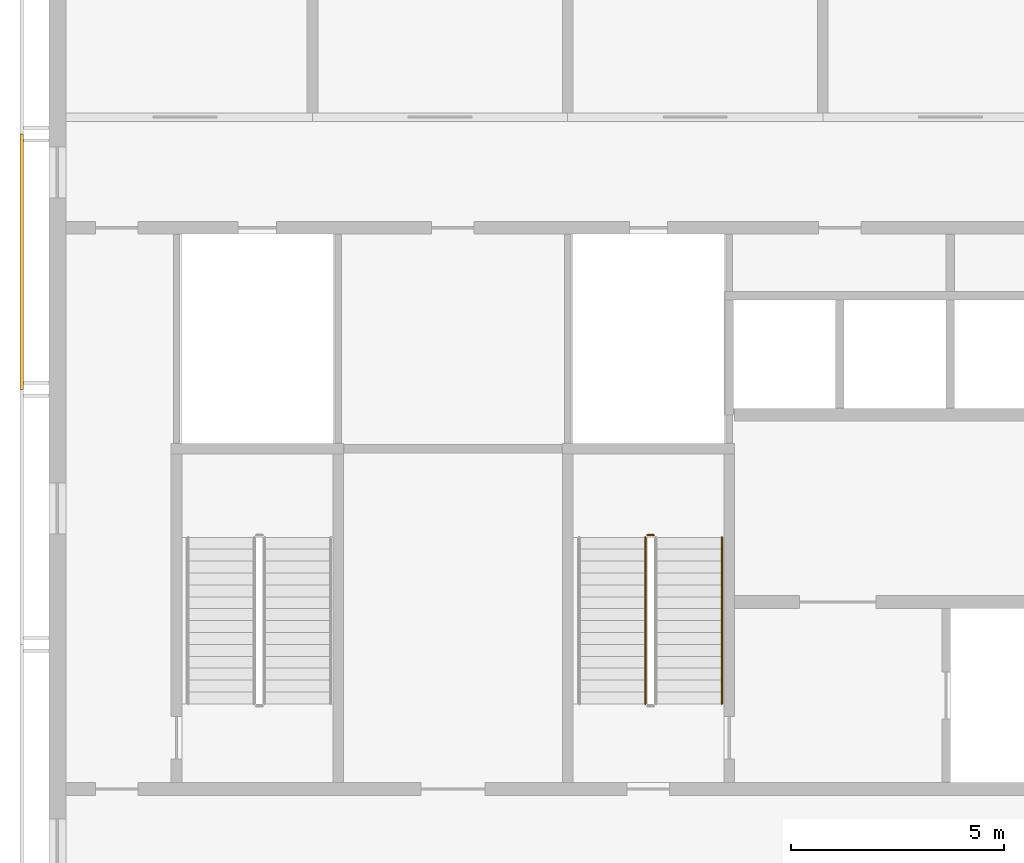
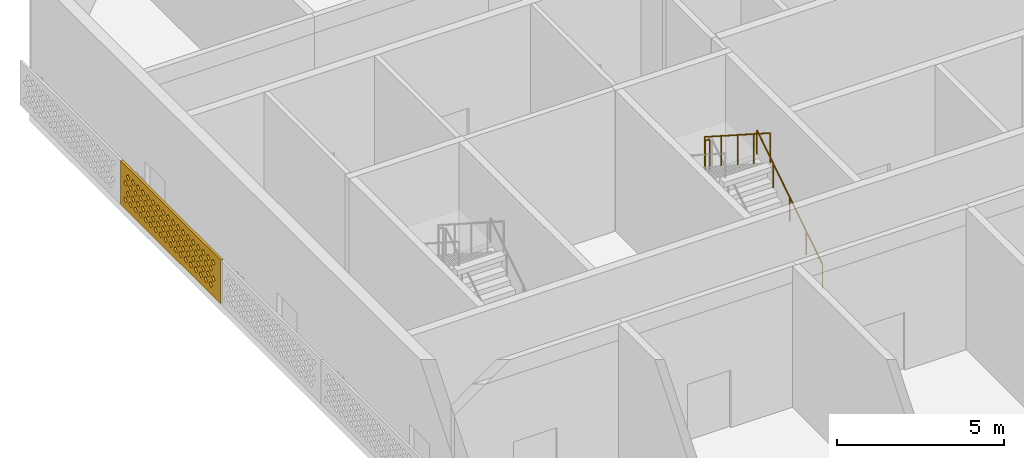
# One storey, part 13 of 18: 3 railings, 1 covering.
"""IFC4 building model written with IfcOpenShell, lengths in metres."""

from ifc_helpers import new_model, si_unit, direction, frame, origin, origin_2d, place, context, subcontext, project, spatial, polyline, circle, outline, extrude, source, transform, mapped, material, material_profile, profile_set, type_object, element, save


model = new_model("IFC4")

# Units and contexts
model_context = context("Model", 3, precision=1e-05, world=origin(), true_north=direction((0.0, 1.0)))
body_context = subcontext(model_context, "Body", "Model", "MODEL_VIEW")
ifc_project = project(units=[si_unit("LENGTHUNIT", "METRE"), si_unit("AREAUNIT", "SQUARE_METRE"), si_unit("VOLUMEUNIT", "CUBIC_METRE"), si_unit("PLANEANGLEUNIT", "RADIAN"), si_unit("MASSUNIT", "GRAM", prefix="KILO")], contexts=[model_context])

# Site, building, storey
site_placement = place(None, origin())
site = spatial("IfcSite", under=ifc_project, at=site_placement, CompositionType="ELEMENT")
building_placement = place(site_placement, origin())
building = spatial("IfcBuilding", under=site, at=building_placement, Name="Poui Terraces", CompositionType="ELEMENT")
storey_placement = place(building_placement, frame((0.0, 0.0, 267.0)))
storey = spatial("IfcBuildingStorey", under=building, at=storey_placement, Name="L74", CompositionType="ELEMENT", Elevation=267.0)

# Railings
ifc_material_1 = material(Name="Galvanised steel balustrade", Category="steel")
railing_type_1 = type_object("IfcRailingType", Name="STAIR GUARD 1100", PredefinedType="GUARDRAIL", material=ifc_material_1)
railing_1_placement = place(storey_placement, frame((32.02490234375, 20.570068359375, 2.699951171875)))
element("IfcRailing", 1, at=railing_1_placement, inside=storey, type_object=railing_type_1, Name="L74 ST-CW stair guard 2", PredefinedType="GUARDRAIL", context=body_context, shape_type="SweptSolid", body=[
    extrude(circle(Radius=0.02392578125, at=origin_2d()), frame((0.0, 0.0, 1.076171875), z_axis=(-1.0, 0.0, 0.0), x_axis=(0.0, -1.0, 0.0)), (0.0, 0.0, 1.0), 0.14990234375),
    extrude(circle(Radius=0.02099609375, at=origin_2d()), origin(), (0.0, 0.0, 1.0), 1.052001953125),
    extrude(circle(Radius=0.02099609375, at=origin_2d()), frame((-0.14990234375, 0.0, 0.0)), (0.0, 0.0, 1.0), 1.052001953125),
])
railing_2_placement = place(storey_placement, frame((31.824951171875, 20.52001953125, 2.8798828125)))
element("IfcRailing", 2, at=railing_2_placement, inside=storey, type_object=railing_type_1, Name="L74 ST-CW stair guard 3", PredefinedType="GUARDRAIL", context=body_context, shape_type="SweptSolid", body=[
    extrude(circle(Radius=0.02392578125, at=origin_2d()), frame((0.0, 0.0, 1.076171875), z_axis=(0.0, -0.841171666519, 0.540768182723), x_axis=(1.0, 0.0, 0.0)), (0.0, 0.0, 1.0), 4.66015625),
    extrude(circle(Radius=0.02099609375, at=origin_2d()), origin(), (0.0, 0.0, 1.0), 1.052001953125),
    extrude(circle(Radius=0.02099609375, at=origin_2d()), frame((0.0, -0.97998046875, 0.6298828125)), (0.0, 0.0, 1.0), 1.052001953125),
    extrude(circle(Radius=0.02099609375, at=origin_2d()), frame((0.0, -1.9599609375, 1.260009765625)), (0.0, 0.0, 1.0), 1.052001953125),
    extrude(circle(Radius=0.02099609375, at=origin_2d()), frame((0.0, -2.93994140625, 1.89013671875)), (0.0, 0.0, 1.0), 1.052001953125),
    extrude(circle(Radius=0.02099609375, at=origin_2d()), frame((0.0, -3.919921875, 2.52001953125)), (0.0, 0.0, 1.0), 1.052001953125),
])
ifc_material_2 = material(Name="Stainless steel handrail", Category="steel")
railing_type_2 = type_object("IfcRailingType", Name="STAIR HANDRAIL 900", PredefinedType="HANDRAIL", material=ifc_material_2)
railing_3_placement = place(storey_placement, frame((33.625, 16.60009765625, 0.179931640625)))
element("IfcRailing", 3, at=railing_3_placement, inside=storey, type_object=railing_type_2, Name="L74 ST-CW stair handrail 1", PredefinedType="HANDRAIL", context=body_context, shape_type="SweptSolid", body=[
    extrude(circle(Radius=0.02392578125, at=origin_2d()), frame((0.0, 0.0, 0.8759765625), z_axis=(0.0, 0.841171666519, 0.540768182723), x_axis=(-1.0, 0.0, 0.0)), (0.0, 0.0, 1.0), 4.66015625),
    extrude(circle(Radius=0.02099609375, at=origin_2d()), origin(), (0.0, 0.0, 1.0), 0.851806640625),
    extrude(circle(Radius=0.02099609375, at=origin_2d()), frame((0.0, 0.97998046875, 0.6298828125)), (0.0, 0.0, 1.0), 0.851806640625),
    extrude(circle(Radius=0.02099609375, at=origin_2d()), frame((0.0, 1.9599609375, 1.260009765625)), (0.0, 0.0, 1.0), 0.851806640625),
    extrude(circle(Radius=0.02099609375, at=origin_2d()), frame((0.0, 2.93994140625, 1.89013671875)), (0.0, 0.0, 1.0), 0.851806640625),
    extrude(circle(Radius=0.02099609375, at=origin_2d()), frame((0.0, 3.919921875, 2.52001953125)), (0.0, 0.0, 1.0), 0.851806640625),
])

# Covering
ifc_material_3 = material(Name="Terracotta screen", Category="masonry")
ifc_material_profile = material_profile(ifc_material_3, outline(polyline([(-3.0, -0.800048828125), (3.0, -0.800048828125), (3.0, 0.800048828125), (-3.0, 0.800048828125), (-3.0, -0.800048828125)]), holes=[polyline([(-2.800048828125, -0.449951171875), (-2.68994140625, -0.56005859375), (-2.580078125, -0.449951171875), (-2.68994140625, -0.340087890625), (-2.800048828125, -0.449951171875)]), polyline([(-2.5, -0.449951171875), (-2.389892578125, -0.56005859375), (-2.280029296875, -0.449951171875), (-2.389892578125, -0.340087890625), (-2.5, -0.449951171875)]), polyline([(-2.199951171875, -0.449951171875), (-2.090087890625, -0.56005859375), (-1.97998046875, -0.449951171875), (-2.090087890625, -0.340087890625), (-2.199951171875, -0.449951171875)]), polyline([(-1.89990234375, -0.449951171875), (-1.7900390625, -0.56005859375), (-1.679931640625, -0.449951171875), (-1.7900390625, -0.340087890625), (-1.89990234375, -0.449951171875)]), polyline([(-1.60009765625, -0.449951171875), (-1.489990234375, -0.56005859375), (-1.3798828125, -0.449951171875), (-1.489990234375, -0.340087890625), (-1.60009765625, -0.449951171875)]), polyline([(-1.300048828125, -0.449951171875), (-1.18994140625, -0.56005859375), (-1.080078125, -0.449951171875), (-1.18994140625, -0.340087890625), (-1.300048828125, -0.449951171875)]), polyline([(-1.0, -0.449951171875), (-0.889892578125, -0.56005859375), (-0.780029296875, -0.449951171875), (-0.889892578125, -0.340087890625), (-1.0, -0.449951171875)]), polyline([(-0.699951171875, -0.449951171875), (-0.590087890625, -0.56005859375), (-0.47998046875, -0.449951171875), (-0.590087890625, -0.340087890625), (-0.699951171875, -0.449951171875)]), polyline([(-0.39990234375, -0.449951171875), (-0.2900390625, -0.56005859375), (-0.179931640625, -0.449951171875), (-0.2900390625, -0.340087890625), (-0.39990234375, -0.449951171875)]), polyline([(-0.10009765625, -0.449951171875), (0.010009765625, -0.56005859375), (0.1201171875, -0.449951171875), (0.010009765625, -0.340087890625), (-0.10009765625, -0.449951171875)]), polyline([(0.199951171875, -0.449951171875), (0.31005859375, -0.56005859375), (0.419921875, -0.449951171875), (0.31005859375, -0.340087890625), (0.199951171875, -0.449951171875)]), polyline([(0.5, -0.449951171875), (0.610107421875, -0.56005859375), (0.719970703125, -0.449951171875), (0.610107421875, -0.340087890625), (0.5, -0.449951171875)]), polyline([(0.800048828125, -0.449951171875), (0.909912109375, -0.56005859375), (1.02001953125, -0.449951171875), (0.909912109375, -0.340087890625), (0.800048828125, -0.449951171875)]), polyline([(1.10009765625, -0.449951171875), (1.2099609375, -0.56005859375), (1.320068359375, -0.449951171875), (1.2099609375, -0.340087890625), (1.10009765625, -0.449951171875)]), polyline([(1.39990234375, -0.449951171875), (1.510009765625, -0.56005859375), (1.6201171875, -0.449951171875), (1.510009765625, -0.340087890625), (1.39990234375, -0.449951171875)]), polyline([(1.699951171875, -0.449951171875), (1.81005859375, -0.56005859375), (1.919921875, -0.449951171875), (1.81005859375, -0.340087890625), (1.699951171875, -0.449951171875)]), polyline([(2.0, -0.449951171875), (2.110107421875, -0.56005859375), (2.219970703125, -0.449951171875), (2.110107421875, -0.340087890625), (2.0, -0.449951171875)]), polyline([(2.300048828125, -0.449951171875), (2.409912109375, -0.56005859375), (2.52001953125, -0.449951171875), (2.409912109375, -0.340087890625), (2.300048828125, -0.449951171875)]), polyline([(-2.64990234375, -0.14990234375), (-2.5400390625, -0.260009765625), (-2.429931640625, -0.14990234375), (-2.5400390625, -0.0400390625), (-2.64990234375, -0.14990234375)]), polyline([(-2.35009765625, -0.14990234375), (-2.239990234375, -0.260009765625), (-2.1298828125, -0.14990234375), (-2.239990234375, -0.0400390625), (-2.35009765625, -0.14990234375)]), polyline([(-2.050048828125, -0.14990234375), (-1.93994140625, -0.260009765625), (-1.830078125, -0.14990234375), (-1.93994140625, -0.0400390625), (-2.050048828125, -0.14990234375)]), polyline([(-1.75, -0.14990234375), (-1.639892578125, -0.260009765625), (-1.530029296875, -0.14990234375), (-1.639892578125, -0.0400390625), (-1.75, -0.14990234375)]), polyline([(-1.449951171875, -0.14990234375), (-1.340087890625, -0.260009765625), (-1.22998046875, -0.14990234375), (-1.340087890625, -0.0400390625), (-1.449951171875, -0.14990234375)]), polyline([(-1.14990234375, -0.14990234375), (-1.0400390625, -0.260009765625), (-0.929931640625, -0.14990234375), (-1.0400390625, -0.0400390625), (-1.14990234375, -0.14990234375)]), polyline([(-0.85009765625, -0.14990234375), (-0.739990234375, -0.260009765625), (-0.6298828125, -0.14990234375), (-0.739990234375, -0.0400390625), (-0.85009765625, -0.14990234375)]), polyline([(-0.550048828125, -0.14990234375), (-0.43994140625, -0.260009765625), (-0.330078125, -0.14990234375), (-0.43994140625, -0.0400390625), (-0.550048828125, -0.14990234375)]), polyline([(-0.25, -0.14990234375), (-0.139892578125, -0.260009765625), (-0.030029296875, -0.14990234375), (-0.139892578125, -0.0400390625), (-0.25, -0.14990234375)]), polyline([(0.050048828125, -0.14990234375), (0.159912109375, -0.260009765625), (0.27001953125, -0.14990234375), (0.159912109375, -0.0400390625), (0.050048828125, -0.14990234375)]), polyline([(0.35009765625, -0.14990234375), (0.4599609375, -0.260009765625), (0.570068359375, -0.14990234375), (0.4599609375, -0.0400390625), (0.35009765625, -0.14990234375)]), polyline([(0.64990234375, -0.14990234375), (0.760009765625, -0.260009765625), (0.8701171875, -0.14990234375), (0.760009765625, -0.0400390625), (0.64990234375, -0.14990234375)]), polyline([(0.949951171875, -0.14990234375), (1.06005859375, -0.260009765625), (1.169921875, -0.14990234375), (1.06005859375, -0.0400390625), (0.949951171875, -0.14990234375)]), polyline([(1.25, -0.14990234375), (1.360107421875, -0.260009765625), (1.469970703125, -0.14990234375), (1.360107421875, -0.0400390625), (1.25, -0.14990234375)]), polyline([(1.550048828125, -0.14990234375), (1.659912109375, -0.260009765625), (1.77001953125, -0.14990234375), (1.659912109375, -0.0400390625), (1.550048828125, -0.14990234375)]), polyline([(1.85009765625, -0.14990234375), (1.9599609375, -0.260009765625), (2.070068359375, -0.14990234375), (1.9599609375, -0.0400390625), (1.85009765625, -0.14990234375)]), polyline([(2.14990234375, -0.14990234375), (2.260009765625, -0.260009765625), (2.3701171875, -0.14990234375), (2.260009765625, -0.0400390625), (2.14990234375, -0.14990234375)]), polyline([(2.449951171875, -0.14990234375), (2.56005859375, -0.260009765625), (2.669921875, -0.14990234375), (2.56005859375, -0.0400390625), (2.449951171875, -0.14990234375)]), polyline([(-2.800048828125, 0.14990234375), (-2.68994140625, 0.0400390625), (-2.580078125, 0.14990234375), (-2.68994140625, 0.260009765625), (-2.800048828125, 0.14990234375)]), polyline([(-2.5, 0.14990234375), (-2.389892578125, 0.0400390625), (-2.280029296875, 0.14990234375), (-2.389892578125, 0.260009765625), (-2.5, 0.14990234375)]), polyline([(-2.199951171875, 0.14990234375), (-2.090087890625, 0.0400390625), (-1.97998046875, 0.14990234375), (-2.090087890625, 0.260009765625), (-2.199951171875, 0.14990234375)]), polyline([(-1.89990234375, 0.14990234375), (-1.7900390625, 0.0400390625), (-1.679931640625, 0.14990234375), (-1.7900390625, 0.260009765625), (-1.89990234375, 0.14990234375)]), polyline([(-1.60009765625, 0.14990234375), (-1.489990234375, 0.0400390625), (-1.3798828125, 0.14990234375), (-1.489990234375, 0.260009765625), (-1.60009765625, 0.14990234375)]), polyline([(-1.300048828125, 0.14990234375), (-1.18994140625, 0.0400390625), (-1.080078125, 0.14990234375), (-1.18994140625, 0.260009765625), (-1.300048828125, 0.14990234375)]), polyline([(-1.0, 0.14990234375), (-0.889892578125, 0.0400390625), (-0.780029296875, 0.14990234375), (-0.889892578125, 0.260009765625), (-1.0, 0.14990234375)]), polyline([(-0.699951171875, 0.14990234375), (-0.590087890625, 0.0400390625), (-0.47998046875, 0.14990234375), (-0.590087890625, 0.260009765625), (-0.699951171875, 0.14990234375)]), polyline([(-0.39990234375, 0.14990234375), (-0.2900390625, 0.0400390625), (-0.179931640625, 0.14990234375), (-0.2900390625, 0.260009765625), (-0.39990234375, 0.14990234375)]), polyline([(-0.10009765625, 0.14990234375), (0.010009765625, 0.0400390625), (0.1201171875, 0.14990234375), (0.010009765625, 0.260009765625), (-0.10009765625, 0.14990234375)]), polyline([(0.199951171875, 0.14990234375), (0.31005859375, 0.0400390625), (0.419921875, 0.14990234375), (0.31005859375, 0.260009765625), (0.199951171875, 0.14990234375)]), polyline([(0.5, 0.14990234375), (0.610107421875, 0.0400390625), (0.719970703125, 0.14990234375), (0.610107421875, 0.260009765625), (0.5, 0.14990234375)]), polyline([(0.800048828125, 0.14990234375), (0.909912109375, 0.0400390625), (1.02001953125, 0.14990234375), (0.909912109375, 0.260009765625), (0.800048828125, 0.14990234375)]), polyline([(1.10009765625, 0.14990234375), (1.2099609375, 0.0400390625), (1.320068359375, 0.14990234375), (1.2099609375, 0.260009765625), (1.10009765625, 0.14990234375)]), polyline([(1.39990234375, 0.14990234375), (1.510009765625, 0.0400390625), (1.6201171875, 0.14990234375), (1.510009765625, 0.260009765625), (1.39990234375, 0.14990234375)]), polyline([(1.699951171875, 0.14990234375), (1.81005859375, 0.0400390625), (1.919921875, 0.14990234375), (1.81005859375, 0.260009765625), (1.699951171875, 0.14990234375)]), polyline([(2.0, 0.14990234375), (2.110107421875, 0.0400390625), (2.219970703125, 0.14990234375), (2.110107421875, 0.260009765625), (2.0, 0.14990234375)]), polyline([(2.300048828125, 0.14990234375), (2.409912109375, 0.0400390625), (2.52001953125, 0.14990234375), (2.409912109375, 0.260009765625), (2.300048828125, 0.14990234375)]), polyline([(-2.64990234375, 0.449951171875), (-2.5400390625, 0.340087890625), (-2.429931640625, 0.449951171875), (-2.5400390625, 0.56005859375), (-2.64990234375, 0.449951171875)]), polyline([(-2.35009765625, 0.449951171875), (-2.239990234375, 0.340087890625), (-2.1298828125, 0.449951171875), (-2.239990234375, 0.56005859375), (-2.35009765625, 0.449951171875)]), polyline([(-2.050048828125, 0.449951171875), (-1.93994140625, 0.340087890625), (-1.830078125, 0.449951171875), (-1.93994140625, 0.56005859375), (-2.050048828125, 0.449951171875)]), polyline([(-1.75, 0.449951171875), (-1.639892578125, 0.340087890625), (-1.530029296875, 0.449951171875), (-1.639892578125, 0.56005859375), (-1.75, 0.449951171875)]), polyline([(-1.449951171875, 0.449951171875), (-1.340087890625, 0.340087890625), (-1.22998046875, 0.449951171875), (-1.340087890625, 0.56005859375), (-1.449951171875, 0.449951171875)]), polyline([(-1.14990234375, 0.449951171875), (-1.0400390625, 0.340087890625), (-0.929931640625, 0.449951171875), (-1.0400390625, 0.56005859375), (-1.14990234375, 0.449951171875)]), polyline([(-0.85009765625, 0.449951171875), (-0.739990234375, 0.340087890625), (-0.6298828125, 0.449951171875), (-0.739990234375, 0.56005859375), (-0.85009765625, 0.449951171875)]), polyline([(-0.550048828125, 0.449951171875), (-0.43994140625, 0.340087890625), (-0.330078125, 0.449951171875), (-0.43994140625, 0.56005859375), (-0.550048828125, 0.449951171875)]), polyline([(-0.25, 0.449951171875), (-0.139892578125, 0.340087890625), (-0.030029296875, 0.449951171875), (-0.139892578125, 0.56005859375), (-0.25, 0.449951171875)]), polyline([(0.050048828125, 0.449951171875), (0.159912109375, 0.340087890625), (0.27001953125, 0.449951171875), (0.159912109375, 0.56005859375), (0.050048828125, 0.449951171875)]), polyline([(0.35009765625, 0.449951171875), (0.4599609375, 0.340087890625), (0.570068359375, 0.449951171875), (0.4599609375, 0.56005859375), (0.35009765625, 0.449951171875)]), polyline([(0.64990234375, 0.449951171875), (0.760009765625, 0.340087890625), (0.8701171875, 0.449951171875), (0.760009765625, 0.56005859375), (0.64990234375, 0.449951171875)]), polyline([(0.949951171875, 0.449951171875), (1.06005859375, 0.340087890625), (1.169921875, 0.449951171875), (1.06005859375, 0.56005859375), (0.949951171875, 0.449951171875)]), polyline([(1.25, 0.449951171875), (1.360107421875, 0.340087890625), (1.469970703125, 0.449951171875), (1.360107421875, 0.56005859375), (1.25, 0.449951171875)]), polyline([(1.550048828125, 0.449951171875), (1.659912109375, 0.340087890625), (1.77001953125, 0.449951171875), (1.659912109375, 0.56005859375), (1.550048828125, 0.449951171875)]), polyline([(1.85009765625, 0.449951171875), (1.9599609375, 0.340087890625), (2.070068359375, 0.449951171875), (1.9599609375, 0.56005859375), (1.85009765625, 0.449951171875)]), polyline([(2.14990234375, 0.449951171875), (2.260009765625, 0.340087890625), (2.3701171875, 0.449951171875), (2.260009765625, 0.56005859375), (2.14990234375, 0.449951171875)]), polyline([(2.449951171875, 0.449951171875), (2.56005859375, 0.340087890625), (2.669921875, 0.449951171875), (2.56005859375, 0.56005859375), (2.449951171875, 0.449951171875)])]), Name="TERRACOTTA SOLAR SCREEN 6000X1600")
ifc_profile_set = profile_set([ifc_material_profile], Name="Terracotta screen")
covering_type = type_object("IfcCoveringType", Name="TERRACOTTA SOLAR SCREEN 6000X1600", PredefinedType="CLADDING", material=ifc_profile_set)
shared_shape = source(origin(), body_context, "Body", "SweptSolid", [
    extrude(outline(polyline([(-3.0, -0.800048828125), (3.0, -0.800048828125), (3.0, 0.800048828125), (-3.0, 0.800048828125), (-3.0, -0.800048828125)]), holes=[polyline([(-2.800048828125, -0.449951171875), (-2.68994140625, -0.56005859375), (-2.580078125, -0.449951171875), (-2.68994140625, -0.340087890625), (-2.800048828125, -0.449951171875)]), polyline([(-2.5, -0.449951171875), (-2.389892578125, -0.56005859375), (-2.280029296875, -0.449951171875), (-2.389892578125, -0.340087890625), (-2.5, -0.449951171875)]), polyline([(-2.199951171875, -0.449951171875), (-2.090087890625, -0.56005859375), (-1.97998046875, -0.449951171875), (-2.090087890625, -0.340087890625), (-2.199951171875, -0.449951171875)]), polyline([(-1.89990234375, -0.449951171875), (-1.7900390625, -0.56005859375), (-1.679931640625, -0.449951171875), (-1.7900390625, -0.340087890625), (-1.89990234375, -0.449951171875)]), polyline([(-1.60009765625, -0.449951171875), (-1.489990234375, -0.56005859375), (-1.3798828125, -0.449951171875), (-1.489990234375, -0.340087890625), (-1.60009765625, -0.449951171875)]), polyline([(-1.300048828125, -0.449951171875), (-1.18994140625, -0.56005859375), (-1.080078125, -0.449951171875), (-1.18994140625, -0.340087890625), (-1.300048828125, -0.449951171875)]), polyline([(-1.0, -0.449951171875), (-0.889892578125, -0.56005859375), (-0.780029296875, -0.449951171875), (-0.889892578125, -0.340087890625), (-1.0, -0.449951171875)]), polyline([(-0.699951171875, -0.449951171875), (-0.590087890625, -0.56005859375), (-0.47998046875, -0.449951171875), (-0.590087890625, -0.340087890625), (-0.699951171875, -0.449951171875)]), polyline([(-0.39990234375, -0.449951171875), (-0.2900390625, -0.56005859375), (-0.179931640625, -0.449951171875), (-0.2900390625, -0.340087890625), (-0.39990234375, -0.449951171875)]), polyline([(-0.10009765625, -0.449951171875), (0.010009765625, -0.56005859375), (0.1201171875, -0.449951171875), (0.010009765625, -0.340087890625), (-0.10009765625, -0.449951171875)]), polyline([(0.199951171875, -0.449951171875), (0.31005859375, -0.56005859375), (0.419921875, -0.449951171875), (0.31005859375, -0.340087890625), (0.199951171875, -0.449951171875)]), polyline([(0.5, -0.449951171875), (0.610107421875, -0.56005859375), (0.719970703125, -0.449951171875), (0.610107421875, -0.340087890625), (0.5, -0.449951171875)]), polyline([(0.800048828125, -0.449951171875), (0.909912109375, -0.56005859375), (1.02001953125, -0.449951171875), (0.909912109375, -0.340087890625), (0.800048828125, -0.449951171875)]), polyline([(1.10009765625, -0.449951171875), (1.2099609375, -0.56005859375), (1.320068359375, -0.449951171875), (1.2099609375, -0.340087890625), (1.10009765625, -0.449951171875)]), polyline([(1.39990234375, -0.449951171875), (1.510009765625, -0.56005859375), (1.6201171875, -0.449951171875), (1.510009765625, -0.340087890625), (1.39990234375, -0.449951171875)]), polyline([(1.699951171875, -0.449951171875), (1.81005859375, -0.56005859375), (1.919921875, -0.449951171875), (1.81005859375, -0.340087890625), (1.699951171875, -0.449951171875)]), polyline([(2.0, -0.449951171875), (2.110107421875, -0.56005859375), (2.219970703125, -0.449951171875), (2.110107421875, -0.340087890625), (2.0, -0.449951171875)]), polyline([(2.300048828125, -0.449951171875), (2.409912109375, -0.56005859375), (2.52001953125, -0.449951171875), (2.409912109375, -0.340087890625), (2.300048828125, -0.449951171875)]), polyline([(-2.64990234375, -0.14990234375), (-2.5400390625, -0.260009765625), (-2.429931640625, -0.14990234375), (-2.5400390625, -0.0400390625), (-2.64990234375, -0.14990234375)]), polyline([(-2.35009765625, -0.14990234375), (-2.239990234375, -0.260009765625), (-2.1298828125, -0.14990234375), (-2.239990234375, -0.0400390625), (-2.35009765625, -0.14990234375)]), polyline([(-2.050048828125, -0.14990234375), (-1.93994140625, -0.260009765625), (-1.830078125, -0.14990234375), (-1.93994140625, -0.0400390625), (-2.050048828125, -0.14990234375)]), polyline([(-1.75, -0.14990234375), (-1.639892578125, -0.260009765625), (-1.530029296875, -0.14990234375), (-1.639892578125, -0.0400390625), (-1.75, -0.14990234375)]), polyline([(-1.449951171875, -0.14990234375), (-1.340087890625, -0.260009765625), (-1.22998046875, -0.14990234375), (-1.340087890625, -0.0400390625), (-1.449951171875, -0.14990234375)]), polyline([(-1.14990234375, -0.14990234375), (-1.0400390625, -0.260009765625), (-0.929931640625, -0.14990234375), (-1.0400390625, -0.0400390625), (-1.14990234375, -0.14990234375)]), polyline([(-0.85009765625, -0.14990234375), (-0.739990234375, -0.260009765625), (-0.6298828125, -0.14990234375), (-0.739990234375, -0.0400390625), (-0.85009765625, -0.14990234375)]), polyline([(-0.550048828125, -0.14990234375), (-0.43994140625, -0.260009765625), (-0.330078125, -0.14990234375), (-0.43994140625, -0.0400390625), (-0.550048828125, -0.14990234375)]), polyline([(-0.25, -0.14990234375), (-0.139892578125, -0.260009765625), (-0.030029296875, -0.14990234375), (-0.139892578125, -0.0400390625), (-0.25, -0.14990234375)]), polyline([(0.050048828125, -0.14990234375), (0.159912109375, -0.260009765625), (0.27001953125, -0.14990234375), (0.159912109375, -0.0400390625), (0.050048828125, -0.14990234375)]), polyline([(0.35009765625, -0.14990234375), (0.4599609375, -0.260009765625), (0.570068359375, -0.14990234375), (0.4599609375, -0.0400390625), (0.35009765625, -0.14990234375)]), polyline([(0.64990234375, -0.14990234375), (0.760009765625, -0.260009765625), (0.8701171875, -0.14990234375), (0.760009765625, -0.0400390625), (0.64990234375, -0.14990234375)]), polyline([(0.949951171875, -0.14990234375), (1.06005859375, -0.260009765625), (1.169921875, -0.14990234375), (1.06005859375, -0.0400390625), (0.949951171875, -0.14990234375)]), polyline([(1.25, -0.14990234375), (1.360107421875, -0.260009765625), (1.469970703125, -0.14990234375), (1.360107421875, -0.0400390625), (1.25, -0.14990234375)]), polyline([(1.550048828125, -0.14990234375), (1.659912109375, -0.260009765625), (1.77001953125, -0.14990234375), (1.659912109375, -0.0400390625), (1.550048828125, -0.14990234375)]), polyline([(1.85009765625, -0.14990234375), (1.9599609375, -0.260009765625), (2.070068359375, -0.14990234375), (1.9599609375, -0.0400390625), (1.85009765625, -0.14990234375)]), polyline([(2.14990234375, -0.14990234375), (2.260009765625, -0.260009765625), (2.3701171875, -0.14990234375), (2.260009765625, -0.0400390625), (2.14990234375, -0.14990234375)]), polyline([(2.449951171875, -0.14990234375), (2.56005859375, -0.260009765625), (2.669921875, -0.14990234375), (2.56005859375, -0.0400390625), (2.449951171875, -0.14990234375)]), polyline([(-2.800048828125, 0.14990234375), (-2.68994140625, 0.0400390625), (-2.580078125, 0.14990234375), (-2.68994140625, 0.260009765625), (-2.800048828125, 0.14990234375)]), polyline([(-2.5, 0.14990234375), (-2.389892578125, 0.0400390625), (-2.280029296875, 0.14990234375), (-2.389892578125, 0.260009765625), (-2.5, 0.14990234375)]), polyline([(-2.199951171875, 0.14990234375), (-2.090087890625, 0.0400390625), (-1.97998046875, 0.14990234375), (-2.090087890625, 0.260009765625), (-2.199951171875, 0.14990234375)]), polyline([(-1.89990234375, 0.14990234375), (-1.7900390625, 0.0400390625), (-1.679931640625, 0.14990234375), (-1.7900390625, 0.260009765625), (-1.89990234375, 0.14990234375)]), polyline([(-1.60009765625, 0.14990234375), (-1.489990234375, 0.0400390625), (-1.3798828125, 0.14990234375), (-1.489990234375, 0.260009765625), (-1.60009765625, 0.14990234375)]), polyline([(-1.300048828125, 0.14990234375), (-1.18994140625, 0.0400390625), (-1.080078125, 0.14990234375), (-1.18994140625, 0.260009765625), (-1.300048828125, 0.14990234375)]), polyline([(-1.0, 0.14990234375), (-0.889892578125, 0.0400390625), (-0.780029296875, 0.14990234375), (-0.889892578125, 0.260009765625), (-1.0, 0.14990234375)]), polyline([(-0.699951171875, 0.14990234375), (-0.590087890625, 0.0400390625), (-0.47998046875, 0.14990234375), (-0.590087890625, 0.260009765625), (-0.699951171875, 0.14990234375)]), polyline([(-0.39990234375, 0.14990234375), (-0.2900390625, 0.0400390625), (-0.179931640625, 0.14990234375), (-0.2900390625, 0.260009765625), (-0.39990234375, 0.14990234375)]), polyline([(-0.10009765625, 0.14990234375), (0.010009765625, 0.0400390625), (0.1201171875, 0.14990234375), (0.010009765625, 0.260009765625), (-0.10009765625, 0.14990234375)]), polyline([(0.199951171875, 0.14990234375), (0.31005859375, 0.0400390625), (0.419921875, 0.14990234375), (0.31005859375, 0.260009765625), (0.199951171875, 0.14990234375)]), polyline([(0.5, 0.14990234375), (0.610107421875, 0.0400390625), (0.719970703125, 0.14990234375), (0.610107421875, 0.260009765625), (0.5, 0.14990234375)]), polyline([(0.800048828125, 0.14990234375), (0.909912109375, 0.0400390625), (1.02001953125, 0.14990234375), (0.909912109375, 0.260009765625), (0.800048828125, 0.14990234375)]), polyline([(1.10009765625, 0.14990234375), (1.2099609375, 0.0400390625), (1.320068359375, 0.14990234375), (1.2099609375, 0.260009765625), (1.10009765625, 0.14990234375)]), polyline([(1.39990234375, 0.14990234375), (1.510009765625, 0.0400390625), (1.6201171875, 0.14990234375), (1.510009765625, 0.260009765625), (1.39990234375, 0.14990234375)]), polyline([(1.699951171875, 0.14990234375), (1.81005859375, 0.0400390625), (1.919921875, 0.14990234375), (1.81005859375, 0.260009765625), (1.699951171875, 0.14990234375)]), polyline([(2.0, 0.14990234375), (2.110107421875, 0.0400390625), (2.219970703125, 0.14990234375), (2.110107421875, 0.260009765625), (2.0, 0.14990234375)]), polyline([(2.300048828125, 0.14990234375), (2.409912109375, 0.0400390625), (2.52001953125, 0.14990234375), (2.409912109375, 0.260009765625), (2.300048828125, 0.14990234375)]), polyline([(-2.64990234375, 0.449951171875), (-2.5400390625, 0.340087890625), (-2.429931640625, 0.449951171875), (-2.5400390625, 0.56005859375), (-2.64990234375, 0.449951171875)]), polyline([(-2.35009765625, 0.449951171875), (-2.239990234375, 0.340087890625), (-2.1298828125, 0.449951171875), (-2.239990234375, 0.56005859375), (-2.35009765625, 0.449951171875)]), polyline([(-2.050048828125, 0.449951171875), (-1.93994140625, 0.340087890625), (-1.830078125, 0.449951171875), (-1.93994140625, 0.56005859375), (-2.050048828125, 0.449951171875)]), polyline([(-1.75, 0.449951171875), (-1.639892578125, 0.340087890625), (-1.530029296875, 0.449951171875), (-1.639892578125, 0.56005859375), (-1.75, 0.449951171875)]), polyline([(-1.449951171875, 0.449951171875), (-1.340087890625, 0.340087890625), (-1.22998046875, 0.449951171875), (-1.340087890625, 0.56005859375), (-1.449951171875, 0.449951171875)]), polyline([(-1.14990234375, 0.449951171875), (-1.0400390625, 0.340087890625), (-0.929931640625, 0.449951171875), (-1.0400390625, 0.56005859375), (-1.14990234375, 0.449951171875)]), polyline([(-0.85009765625, 0.449951171875), (-0.739990234375, 0.340087890625), (-0.6298828125, 0.449951171875), (-0.739990234375, 0.56005859375), (-0.85009765625, 0.449951171875)]), polyline([(-0.550048828125, 0.449951171875), (-0.43994140625, 0.340087890625), (-0.330078125, 0.449951171875), (-0.43994140625, 0.56005859375), (-0.550048828125, 0.449951171875)]), polyline([(-0.25, 0.449951171875), (-0.139892578125, 0.340087890625), (-0.030029296875, 0.449951171875), (-0.139892578125, 0.56005859375), (-0.25, 0.449951171875)]), polyline([(0.050048828125, 0.449951171875), (0.159912109375, 0.340087890625), (0.27001953125, 0.449951171875), (0.159912109375, 0.56005859375), (0.050048828125, 0.449951171875)]), polyline([(0.35009765625, 0.449951171875), (0.4599609375, 0.340087890625), (0.570068359375, 0.449951171875), (0.4599609375, 0.56005859375), (0.35009765625, 0.449951171875)]), polyline([(0.64990234375, 0.449951171875), (0.760009765625, 0.340087890625), (0.8701171875, 0.449951171875), (0.760009765625, 0.56005859375), (0.64990234375, 0.449951171875)]), polyline([(0.949951171875, 0.449951171875), (1.06005859375, 0.340087890625), (1.169921875, 0.449951171875), (1.06005859375, 0.56005859375), (0.949951171875, 0.449951171875)]), polyline([(1.25, 0.449951171875), (1.360107421875, 0.340087890625), (1.469970703125, 0.449951171875), (1.360107421875, 0.56005859375), (1.25, 0.449951171875)]), polyline([(1.550048828125, 0.449951171875), (1.659912109375, 0.340087890625), (1.77001953125, 0.449951171875), (1.659912109375, 0.56005859375), (1.550048828125, 0.449951171875)]), polyline([(1.85009765625, 0.449951171875), (1.9599609375, 0.340087890625), (2.070068359375, 0.449951171875), (1.9599609375, 0.56005859375), (1.85009765625, 0.449951171875)]), polyline([(2.14990234375, 0.449951171875), (2.260009765625, 0.340087890625), (2.3701171875, 0.449951171875), (2.260009765625, 0.56005859375), (2.14990234375, 0.449951171875)]), polyline([(2.449951171875, 0.449951171875), (2.56005859375, 0.340087890625), (2.669921875, 0.449951171875), (2.56005859375, 0.56005859375), (2.449951171875, 0.449951171875)])]), origin(), (0.0, 0.0, 1.0), 0.079833984375),
])
covering_placement = place(storey_placement, frame((17.199951171875, 27.0, 1.699951171875), z_axis=(-1.0, 0.0, 0.0), x_axis=(0.0, -1.0, 0.0)))
element("IfcCovering", 4, at=covering_placement, inside=storey, type_object=covering_type, Name="SOLAR SCREEN", PredefinedType="CLADDING", context=body_context, shape_type="MappedRepresentation", body=[
    mapped(shared_shape, transform((0.0, 0.0, 0.0))),
])

save(model, "model.ifc")
